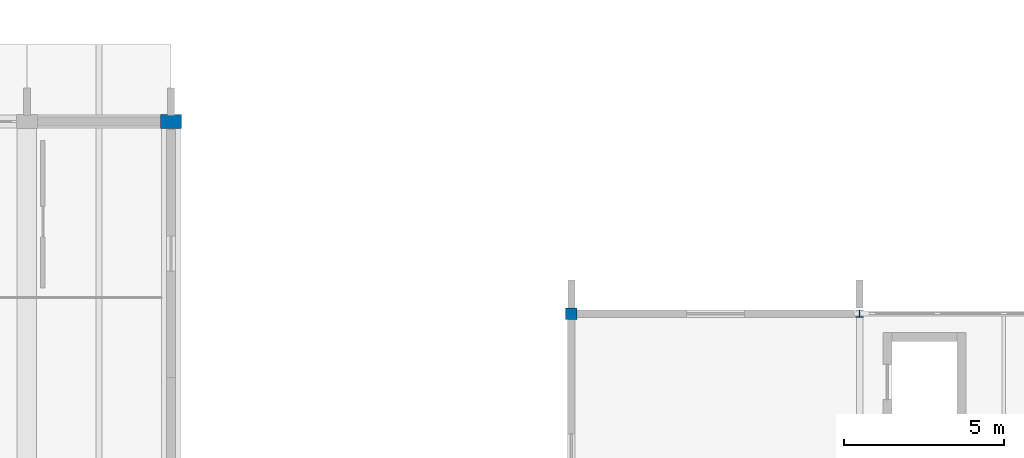
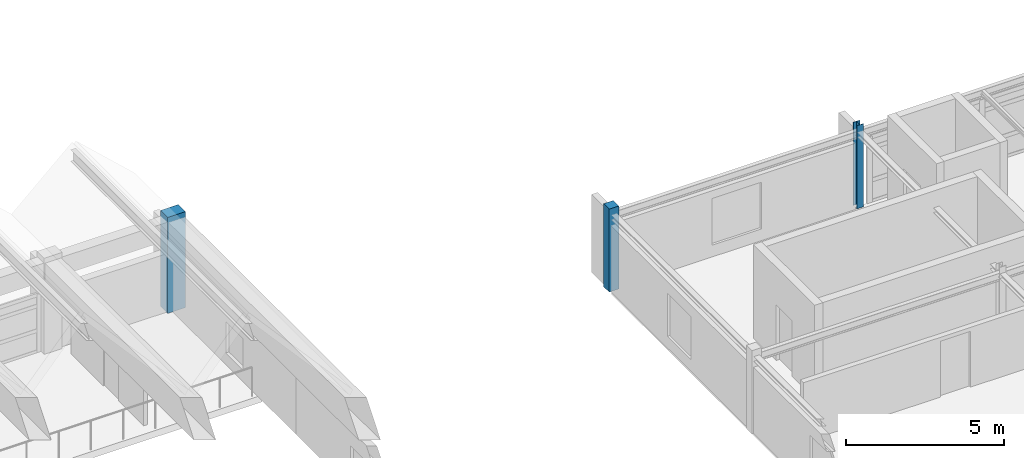
# One storey, part 6 of 83: 3 columns.
"""IFC4 building model written with IfcOpenShell, lengths in metres."""

from ifc_helpers import new_model, si_unit, direction, frame, origin, origin_2d, place, context, subcontext, project, spatial, rectangle, i_section, extrude, material, material_profile, profile_set, type_object, element, save


model = new_model("IFC4")

# Units and contexts
model_context = context("Model", 3, precision=1e-05, world=origin(), true_north=direction((0.0, 1.0)))
body_context = subcontext(model_context, "Body", "Model", "MODEL_VIEW")
ifc_project = project(units=[si_unit("LENGTHUNIT", "METRE"), si_unit("AREAUNIT", "SQUARE_METRE"), si_unit("VOLUMEUNIT", "CUBIC_METRE"), si_unit("PLANEANGLEUNIT", "RADIAN"), si_unit("MASSUNIT", "GRAM", prefix="KILO")], contexts=[model_context])

# Site, building, storey
site_placement = place(None, origin())
site = spatial("IfcSite", under=ifc_project, at=site_placement, CompositionType="ELEMENT")
building_placement = place(site_placement, origin())
building = spatial("IfcBuilding", under=site, at=building_placement, Name="Zimvara Arc Housing Community", CompositionType="ELEMENT")
storey_placement = place(building_placement, frame((0.0, 0.0, 4.5)))
storey = spatial("IfcBuildingStorey", under=building, at=storey_placement, Name="L01", CompositionType="ELEMENT", Elevation=4.5)

# Columns
ifc_material_1 = material(Name="Concrete C40/50", Category="concrete")
ifc_material_profile_1 = material_profile(ifc_material_1, rectangle(XDim=0.35009765625, YDim=0.35009765625, at=origin_2d()), Name="RC 350x350")
ifc_profile_set_1 = profile_set([ifc_material_profile_1], Name="Concrete C40/50")
column_type_1 = type_object("IfcColumnType", Name="COL-RC-350x350", PredefinedType="COLUMN", material=ifc_profile_set_1)
column_1_placement = place(storey_placement, frame((112.0, 21.60009765625, 0.0), z_axis=(0.0, 0.0, 1.0), x_axis=(1.0, 0.0, 0.0)))
element("IfcColumn", 1, at=column_1_placement, inside=storey, type_object=column_type_1, Name="col:nursery:L01:x0:y2", PredefinedType="COLUMN", context=body_context, shape_type="SweptSolid", body=[
    extrude(rectangle(XDim=0.35009765625, YDim=0.35009765625, at=origin_2d()), origin(), (0.0, 0.0, 1.0), 3.199951171875),
])
ifc_material_2 = material(Name="Concrete C40/50", Category="concrete")
ifc_material_profile_2 = material_profile(ifc_material_2, rectangle(XDim=0.449951171875, YDim=0.64990234375, at=origin_2d()), Name="RC 450x650")
ifc_profile_set_2 = profile_set([ifc_material_profile_2], Name="Concrete C40/50")
column_type_2 = type_object("IfcColumnType", Name="COL-RC-450x650", PredefinedType="COLUMN", material=ifc_profile_set_2)
column_2_placement = place(storey_placement, frame((99.5, 27.60009765625, 0.0), z_axis=(0.0, 0.0, 1.0), x_axis=(0.0, 1.0, 0.0)))
element("IfcColumn", 2, at=column_2_placement, inside=storey, type_object=column_type_2, Name="col:hall:L01:x7:y1", PredefinedType="COLUMN", context=body_context, shape_type="SweptSolid", body=[
    extrude(rectangle(XDim=0.449951171875, YDim=0.64990234375, at=origin_2d()), origin(), (0.0, 0.0, 1.0), 3.699951171875),
])
ifc_material_3 = material(Name="Steel S355", Category="steel")
ifc_material_profile_3 = material_profile(ifc_material_3, i_section(OverallWidth=0.239990234375, OverallDepth=0.22998046875, WebThickness=0.007568359375, FlangeThickness=0.011962890625, FilletRadius=0.02099609375, at=origin_2d()), Name="HEA 240")
ifc_profile_set_3 = profile_set([ifc_material_profile_3], Name="Steel S355")
column_type_3 = type_object("IfcColumnType", Name="COL-ST-HEA240", PredefinedType="COLUMN", material=ifc_profile_set_3)
column_3_placement = place(storey_placement, frame((121.0, 21.60009765625, 0.0), z_axis=(0.0, 0.0, 1.0), x_axis=(1.0, 0.0, 0.0)))
element("IfcColumn", 3, at=column_3_placement, inside=storey, type_object=column_type_3, Name="col:nursery:L01:x1:y2", PredefinedType="COLUMN", context=body_context, shape_type="SweptSolid", body=[
    extrude(i_section(OverallWidth=0.239990234375, OverallDepth=0.22998046875, WebThickness=0.007568359375, FlangeThickness=0.011962890625, FilletRadius=0.02099609375, at=origin_2d()), origin(), (0.0, 0.0, 1.0), 3.199951171875),
])

save(model, "model.ifc")
